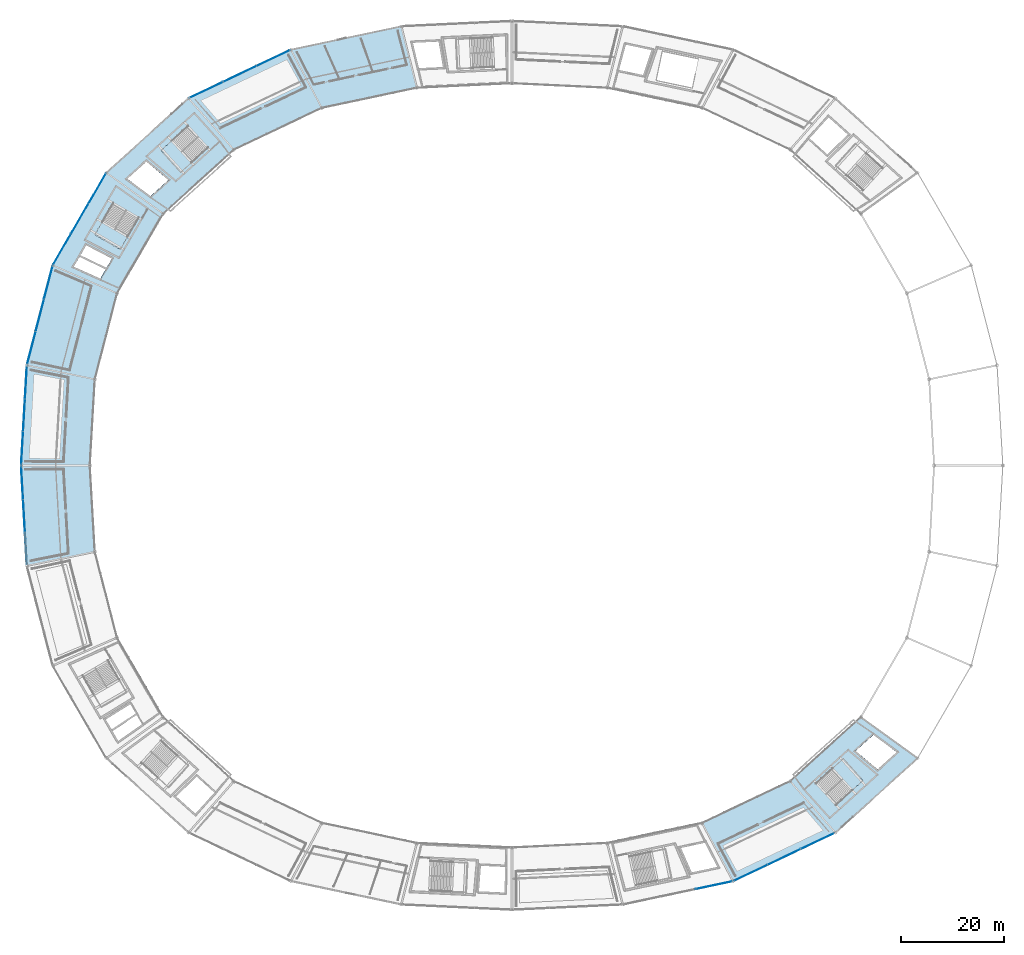
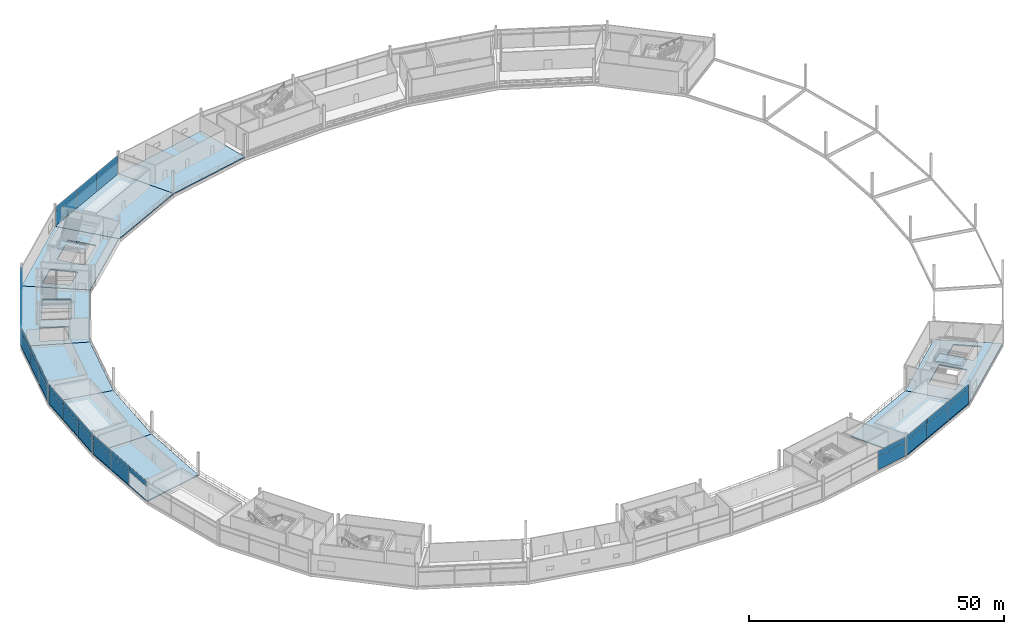
# One storey, part 69 of 103: 37 plates, 12 slabs, 10 elements without a shape of their own.
"""IFC4 building model written with IfcOpenShell, lengths in metres."""

from ifc_helpers import new_model, si_unit, direction, frame, origin, origin_2d, place, context, subcontext, project, spatial, polyline, rectangle, outline, extrude, material, layer, layer_set, type_object, element, aggregate, save


model = new_model("IFC4")

# Units and contexts
model_context = context("Model", 3, precision=1e-05, world=origin(), true_north=direction((0.0, 1.0)))
body_context = subcontext(model_context, "Body", "Model", "MODEL_VIEW")
ifc_project = project(units=[si_unit("LENGTHUNIT", "METRE"), si_unit("AREAUNIT", "SQUARE_METRE"), si_unit("VOLUMEUNIT", "CUBIC_METRE"), si_unit("PLANEANGLEUNIT", "RADIAN"), si_unit("MASSUNIT", "GRAM", prefix="KILO")], contexts=[model_context])

# Site, building, storey
site_placement = place(None, origin())
site = spatial("IfcSite", under=ifc_project, at=site_placement, CompositionType="ELEMENT")
building_placement = place(site_placement, origin())
building = spatial("IfcBuilding", under=site, at=building_placement, Name="Kazemori Nagisa Stadium", CompositionType="ELEMENT")
storey_placement = place(building_placement, frame((0.0, 0.0, 25.840087890625)))
storey = spatial("IfcBuildingStorey", under=building, at=storey_placement, Name="L05", CompositionType="ELEMENT", Elevation=25.840087890625)

# Curtain wall, plates
ifc_material_1 = material(Name="Anodised aluminium 6063-T5", Category="aluminium")
ifc_layer_1 = layer(ifc_material_1, 0.239990234375, Name="Anodised aluminium 6063-T5", Category="aluminium")
ifc_layer_set_1 = layer_set([ifc_layer_1], Name="Anodised aluminium 6063-T5")
curtain_wall_type_1 = type_object("IfcCurtainWallType", Name="CW_L05R3_101", PredefinedType="USERDEFINED", material=ifc_layer_set_1)
curtain_wall_1_placement = place(storey_placement, origin())
curtain_wall_1 = element("IfcCurtainWall", 1, at=curtain_wall_1_placement, inside=storey, type_object=curtain_wall_type_1, Name="Unitised curtain wall CW-L05R3-101 L05", ObjectType="UNITISED CURTAIN WALL", PredefinedType="USERDEFINED")
ifc_material_2 = material(Name="Anodised aluminium spandrel sheet", Category="aluminium")
ifc_layer_2 = layer(ifc_material_2, 0.052001953125, Name="Anodised aluminium spandrel sheet", Category="aluminium")
ifc_layer_set_2 = layer_set([ifc_layer_2], Name="Anodised aluminium spandrel sheet")
plate_type_1 = type_object("IfcPlateType", Name="CWPanel_SPN_L05R3_101", PredefinedType="CURTAIN_PANEL", material=ifc_layer_set_2)
plate_1_placement = place(storey_placement, frame((42.687744140625, 155.5341796875, 3.306884765625), z_axis=(0.0, 0.0, 1.0), x_axis=(-0.501611590054, -0.865092950337, 0.0)))
plate_1 = element("IfcPlate", 2, at=plate_1_placement, type_object=plate_type_1, Name="Curtain wall spandrel panel CW-L05R3-101-S1", PredefinedType="CURTAIN_PANEL", context=body_context, shape_type="SweptSolid", body=[
    extrude(rectangle(XDim=6.7099609375, YDim=0.052001953125, at=origin_2d()), origin(), (0.0, 0.0, 1.0), 1.22314453125),
])
plate_2_placement = place(storey_placement, frame((39.309814453125, 149.70849609375, 3.306884765625), z_axis=(0.0, 0.0, 1.0), x_axis=(-0.501611590054, -0.865092950337, 0.0)))
plate_2 = element("IfcPlate", 3, at=plate_2_placement, type_object=plate_type_1, Name="Curtain wall spandrel panel CW-L05R3-101-S2", PredefinedType="CURTAIN_PANEL", context=body_context, shape_type="SweptSolid", body=[
    extrude(rectangle(XDim=6.7099609375, YDim=0.052001953125, at=origin_2d()), origin(), (0.0, 0.0, 1.0), 1.22314453125),
])
plate_3_placement = place(storey_placement, frame((35.931884765625, 143.883056640625, 3.306884765625), z_axis=(0.0, 0.0, 1.0), x_axis=(-0.501611590054, -0.865092950337, 0.0)))
plate_3 = element("IfcPlate", 4, at=plate_3_placement, type_object=plate_type_1, Name="Curtain wall spandrel panel CW-L05R3-101-S3", PredefinedType="CURTAIN_PANEL", context=body_context, shape_type="SweptSolid", body=[
    extrude(rectangle(XDim=6.7099609375, YDim=0.052001953125, at=origin_2d()), origin(), (0.0, 0.0, 1.0), 1.22314453125),
])

ifc_layer_3 = layer(ifc_material_1, 0.239990234375, Name="Anodised aluminium 6063-T5", Category="aluminium")
ifc_layer_set_3 = layer_set([ifc_layer_3], Name="Anodised aluminium 6063-T5")
curtain_wall_type_2 = type_object("IfcCurtainWallType", Name="CW_L05R3_107", PredefinedType="USERDEFINED", material=ifc_layer_set_3)
curtain_wall_2_placement = place(storey_placement, origin())
curtain_wall_2 = element("IfcCurtainWall", 5, at=curtain_wall_2_placement, inside=storey, type_object=curtain_wall_type_2, Name="Unitised curtain wall CW-L05R3-107 L05", ObjectType="UNITISED CURTAIN WALL", PredefinedType="USERDEFINED")
ifc_layer_4 = layer(ifc_material_2, 0.052001953125, Name="Anodised aluminium spandrel sheet", Category="aluminium")
ifc_layer_set_4 = layer_set([ifc_layer_4], Name="Anodised aluminium spandrel sheet")
plate_type_2 = type_object("IfcPlateType", Name="CWPanel_SPN_L05R3_107", PredefinedType="CURTAIN_PANEL", material=ifc_layer_set_4)
plate_4_placement = place(storey_placement, frame((76.742919921875, 180.82373046875, 3.306884765625), z_axis=(0.0, 0.0, 1.0), x_axis=(-0.903215892654, -0.429186499388, 0.0)))
plate_4 = element("IfcPlate", 6, at=plate_4_placement, type_object=plate_type_2, Name="Curtain wall spandrel panel CW-L05R3-107-S1", PredefinedType="CURTAIN_PANEL", context=body_context, shape_type="SweptSolid", body=[
    extrude(rectangle(XDim=7.110595703125, YDim=0.052001953125, at=origin_2d()), origin(), (0.0, 0.0, 1.0), 1.22314453125),
])
plate_5_placement = place(storey_placement, frame((70.298583984375, 177.76171875, 3.306884765625), z_axis=(0.0, 0.0, 1.0), x_axis=(-0.903215892654, -0.429186499388, 0.0)))
plate_5 = element("IfcPlate", 7, at=plate_5_placement, type_object=plate_type_2, Name="Curtain wall spandrel panel CW-L05R3-107-S2", PredefinedType="CURTAIN_PANEL", context=body_context, shape_type="SweptSolid", body=[
    extrude(rectangle(XDim=7.110595703125, YDim=0.052001953125, at=origin_2d()), origin(), (0.0, 0.0, 1.0), 1.22314453125),
])
plate_6_placement = place(storey_placement, frame((63.8544921875, 174.699462890625, 3.306884765625), z_axis=(0.0, 0.0, 1.0), x_axis=(-0.903215892654, -0.429186499388, 0.0)))
plate_6 = element("IfcPlate", 8, at=plate_6_placement, type_object=plate_type_2, Name="Curtain wall spandrel panel CW-L05R3-107-S3", PredefinedType="CURTAIN_PANEL", context=body_context, shape_type="SweptSolid", body=[
    extrude(rectangle(XDim=7.110595703125, YDim=0.052001953125, at=origin_2d()), origin(), (0.0, 0.0, 1.0), 1.22314453125),
])

# Curtain wall, plate
curtain_wall_3_placement = place(storey_placement, origin())
curtain_wall_3 = element("IfcCurtainWall", 9, at=curtain_wall_3_placement, inside=storey, type_object=curtain_wall_type_2, Name="Unitised curtain wall CW-L05R3-107 L05", ObjectType="UNITISED CURTAIN WALL", PredefinedType="USERDEFINED")
plate_7_placement = place(storey_placement, frame((162.07568359375, 20.746826171875, 3.306884765625), z_axis=(0.0, 0.0, 1.0), x_axis=(0.978344955407, 0.206981033502, 0.0)))
plate_7 = element("IfcPlate", 10, at=plate_7_placement, type_object=plate_type_2, Name="Curtain wall spandrel panel CW-L05R3-107-S3", PredefinedType="CURTAIN_PANEL", context=body_context, shape_type="SweptSolid", body=[
    extrude(rectangle(XDim=7.08935546875, YDim=0.052001953125, at=origin_2d()), origin(), (0.0, 0.0, 1.0), 1.22314453125),
])

# Curtain wall, plates
curtain_wall_4_placement = place(storey_placement, origin())
curtain_wall_4 = element("IfcCurtainWall", 11, at=curtain_wall_4_placement, inside=storey, type_object=curtain_wall_type_2, Name="Unitised curtain wall CW-L05R3-107 L05", ObjectType="UNITISED CURTAIN WALL", PredefinedType="USERDEFINED")
plate_8_placement = place(storey_placement, frame((169.257080078125, 23.17626953125, 3.306884765625), z_axis=(0.0, 0.0, 1.0), x_axis=(0.903215892654, 0.429186499388, 0.0)))
plate_8 = element("IfcPlate", 12, at=plate_8_placement, type_object=plate_type_2, Name="Curtain wall spandrel panel CW-L05R3-107-S1", PredefinedType="CURTAIN_PANEL", context=body_context, shape_type="SweptSolid", body=[
    extrude(rectangle(XDim=7.110595703125, YDim=0.052001953125, at=origin_2d()), origin(), (0.0, 0.0, 1.0), 1.22314453125),
])
plate_9_placement = place(storey_placement, frame((175.701416015625, 26.23828125, 3.306884765625), z_axis=(0.0, 0.0, 1.0), x_axis=(0.903215892654, 0.429186499388, 0.0)))
plate_9 = element("IfcPlate", 13, at=plate_9_placement, type_object=plate_type_2, Name="Curtain wall spandrel panel CW-L05R3-107-S2", PredefinedType="CURTAIN_PANEL", context=body_context, shape_type="SweptSolid", body=[
    extrude(rectangle(XDim=7.110595703125, YDim=0.052001953125, at=origin_2d()), origin(), (0.0, 0.0, 1.0), 1.22314453125),
])
plate_10_placement = place(storey_placement, frame((182.1455078125, 29.300537109375, 3.306884765625), z_axis=(0.0, 0.0, 1.0), x_axis=(0.903215892654, 0.429186499388, 0.0)))
plate_10 = element("IfcPlate", 14, at=plate_10_placement, type_object=plate_type_2, Name="Curtain wall spandrel panel CW-L05R3-107-S3", PredefinedType="CURTAIN_PANEL", context=body_context, shape_type="SweptSolid", body=[
    extrude(rectangle(XDim=7.110595703125, YDim=0.052001953125, at=origin_2d()), origin(), (0.0, 0.0, 1.0), 1.22314453125),
])

ifc_layer_5 = layer(ifc_material_1, 0.239990234375, Name="Anodised aluminium 6063-T5", Category="aluminium")
ifc_layer_set_5 = layer_set([ifc_layer_5], Name="Anodised aluminium 6063-T5")
curtain_wall_type_3 = type_object("IfcCurtainWallType", Name="CW_L05R3_95", PredefinedType="USERDEFINED", material=ifc_layer_set_5)
curtain_wall_5_placement = place(storey_placement, origin())
curtain_wall_5 = element("IfcCurtainWall", 15, at=curtain_wall_5_placement, inside=storey, type_object=curtain_wall_type_3, Name="Unitised curtain wall CW-L05R3-95 L05", ObjectType="UNITISED CURTAIN WALL", PredefinedType="USERDEFINED")
ifc_layer_6 = layer(ifc_material_2, 0.052001953125, Name="Anodised aluminium spandrel sheet", Category="aluminium")
ifc_layer_set_6 = layer_set([ifc_layer_6], Name="Anodised aluminium spandrel sheet")
plate_type_3 = type_object("IfcPlateType", Name="CWPanel_SPN_L05R3_95", PredefinedType="CURTAIN_PANEL", material=ifc_layer_set_6)
plate_11_placement = place(storey_placement, frame((28.9228515625, 117.9951171875, 3.306884765625), z_axis=(0.0, 0.0, 1.0), x_axis=(-0.057601670941, -0.998339645364, 0.0)))
plate_11 = element("IfcPlate", 16, at=plate_11_placement, type_object=plate_type_3, Name="Curtain wall spandrel panel CW-L05R3-95-S1", PredefinedType="CURTAIN_PANEL", context=body_context, shape_type="SweptSolid", body=[
    extrude(rectangle(XDim=6.28271484375, YDim=0.052001953125, at=origin_2d()), origin(), (0.0, 0.0, 1.0), 1.22314453125),
])
plate_12_placement = place(storey_placement, frame((28.5595703125, 111.69873046875, 3.306884765625), z_axis=(0.0, 0.0, 1.0), x_axis=(-0.057601670941, -0.998339645364, 0.0)))
plate_12 = element("IfcPlate", 17, at=plate_12_placement, type_object=plate_type_3, Name="Curtain wall spandrel panel CW-L05R3-95-S2", PredefinedType="CURTAIN_PANEL", context=body_context, shape_type="SweptSolid", body=[
    extrude(rectangle(XDim=6.28271484375, YDim=0.052001953125, at=origin_2d()), origin(), (0.0, 0.0, 1.0), 1.22314453125),
])
plate_13_placement = place(storey_placement, frame((28.1962890625, 105.402587890625, 3.306884765625), z_axis=(0.0, 0.0, 1.0), x_axis=(-0.057601670941, -0.998339645364, 0.0)))
plate_13 = element("IfcPlate", 18, at=plate_13_placement, type_object=plate_type_3, Name="Curtain wall spandrel panel CW-L05R3-95-S3", PredefinedType="CURTAIN_PANEL", context=body_context, shape_type="SweptSolid", body=[
    extrude(rectangle(XDim=6.28271484375, YDim=0.052001953125, at=origin_2d()), origin(), (0.0, 0.0, 1.0), 1.22314453125),
])

curtain_wall_6_placement = place(storey_placement, origin())
curtain_wall_6 = element("IfcCurtainWall", 19, at=curtain_wall_6_placement, inside=storey, type_object=curtain_wall_type_3, Name="Unitised curtain wall CW-L05R3-95 L05", ObjectType="UNITISED CURTAIN WALL", PredefinedType="USERDEFINED")
plate_14_placement = place(storey_placement, frame((28.1962890625, 98.597412109375, 3.306884765625), z_axis=(0.0, 0.0, 1.0), x_axis=(0.057601670941, -0.998339645364, 0.0)))
plate_14 = element("IfcPlate", 20, at=plate_14_placement, type_object=plate_type_3, Name="Curtain wall spandrel panel CW-L05R3-95-S1", PredefinedType="CURTAIN_PANEL", context=body_context, shape_type="SweptSolid", body=[
    extrude(rectangle(XDim=6.28271484375, YDim=0.052001953125, at=origin_2d()), origin(), (0.0, 0.0, 1.0), 1.22314453125),
])
plate_15_placement = place(storey_placement, frame((28.5595703125, 92.30126953125, 3.306884765625), z_axis=(0.0, 0.0, 1.0), x_axis=(0.057601670941, -0.998339645364, 0.0)))
plate_15 = element("IfcPlate", 21, at=plate_15_placement, type_object=plate_type_3, Name="Curtain wall spandrel panel CW-L05R3-95-S2", PredefinedType="CURTAIN_PANEL", context=body_context, shape_type="SweptSolid", body=[
    extrude(rectangle(XDim=6.28271484375, YDim=0.052001953125, at=origin_2d()), origin(), (0.0, 0.0, 1.0), 1.22314453125),
])
plate_16_placement = place(storey_placement, frame((28.9228515625, 86.0048828125, 3.306884765625), z_axis=(0.0, 0.0, 1.0), x_axis=(0.057601670941, -0.998339645364, 0.0)))
plate_16 = element("IfcPlate", 22, at=plate_16_placement, type_object=plate_type_3, Name="Curtain wall spandrel panel CW-L05R3-95-S3", PredefinedType="CURTAIN_PANEL", context=body_context, shape_type="SweptSolid", body=[
    extrude(rectangle(XDim=6.28271484375, YDim=0.052001953125, at=origin_2d()), origin(), (0.0, 0.0, 1.0), 1.22314453125),
])

ifc_layer_7 = layer(ifc_material_1, 0.239990234375, Name="Anodised aluminium 6063-T5", Category="aluminium")
ifc_layer_set_7 = layer_set([ifc_layer_7], Name="Anodised aluminium 6063-T5")
curtain_wall_type_4 = type_object("IfcCurtainWallType", Name="CW_L05R3_98", PredefinedType="USERDEFINED", material=ifc_layer_set_7)
curtain_wall_7_placement = place(storey_placement, origin())
curtain_wall_7 = element("IfcCurtainWall", 23, at=curtain_wall_7_placement, inside=storey, type_object=curtain_wall_type_4, Name="Unitised curtain wall CW-L05R3-98 L05", ObjectType="UNITISED CURTAIN WALL", PredefinedType="USERDEFINED")
ifc_layer_8 = layer(ifc_material_2, 0.052001953125, Name="Anodised aluminium spandrel sheet", Category="aluminium")
ifc_layer_set_8 = layer_set([ifc_layer_8], Name="Anodised aluminium spandrel sheet")
plate_type_4 = type_object("IfcPlateType", Name="CWPanel_SPN_L05R3_98", PredefinedType="CURTAIN_PANEL", material=ifc_layer_set_8)
plate_17_placement = place(storey_placement, frame((33.239990234375, 137.359619140625, 3.306884765625), z_axis=(0.0, 0.0, 1.0), x_axis=(-0.249964642418, -0.968254965152, 0.0)))
plate_17 = element("IfcPlate", 24, at=plate_17_placement, type_object=plate_type_4, Name="Curtain wall spandrel panel CW-L05R3-98-S1", PredefinedType="CURTAIN_PANEL", context=body_context, shape_type="SweptSolid", body=[
    extrude(rectangle(XDim=6.468017578125, YDim=0.052001953125, at=origin_2d()), origin(), (0.0, 0.0, 1.0), 1.22314453125),
])
plate_18_placement = place(storey_placement, frame((31.6171875, 131.07373046875, 3.306884765625), z_axis=(0.0, 0.0, 1.0), x_axis=(-0.249964642418, -0.968254965152, 0.0)))
plate_18 = element("IfcPlate", 25, at=plate_18_placement, type_object=plate_type_4, Name="Curtain wall spandrel panel CW-L05R3-98-S2", PredefinedType="CURTAIN_PANEL", context=body_context, shape_type="SweptSolid", body=[
    extrude(rectangle(XDim=6.468017578125, YDim=0.052001953125, at=origin_2d()), origin(), (0.0, 0.0, 1.0), 1.22314453125),
])
plate_19_placement = place(storey_placement, frame((29.994384765625, 124.78759765625, 3.306884765625), z_axis=(0.0, 0.0, 1.0), x_axis=(-0.249964642418, -0.968254965152, 0.0)))
plate_19 = element("IfcPlate", 26, at=plate_19_placement, type_object=plate_type_4, Name="Curtain wall spandrel panel CW-L05R3-98-S3", PredefinedType="CURTAIN_PANEL", context=body_context, shape_type="SweptSolid", body=[
    extrude(rectangle(XDim=6.468017578125, YDim=0.052001953125, at=origin_2d()), origin(), (0.0, 0.0, 1.0), 1.22314453125),
])

# Plate
ifc_material_3 = material(Name="Low-e laminated double glazing", Category="glass")
ifc_layer_9 = layer(ifc_material_3, 0.034912109375, Name="Low-e laminated double glazing", Category="glass")
ifc_layer_set_9 = layer_set([ifc_layer_9], Name="Low-e laminated double glazing")
plate_type_5 = type_object("IfcPlateType", Name="CWPanel_VIS_L05R3_101", PredefinedType="CURTAIN_PANEL", material=ifc_layer_set_9)
plate_20_placement = place(storey_placement, frame((42.687744140625, 155.5341796875, 0.0), z_axis=(0.0, 0.0, 1.0), x_axis=(-0.501611590054, -0.865092950337, 0.0)))
plate_20 = element("IfcPlate", 27, at=plate_20_placement, type_object=plate_type_5, Name="Curtain wall vision panel CW-L05R3-101-V1", PredefinedType="CURTAIN_PANEL", context=body_context, shape_type="SweptSolid", body=[
    extrude(rectangle(XDim=6.7099609375, YDim=0.034912109375, at=origin_2d()), origin(), (0.0, 0.0, 1.0), 3.306884765625),
])

plate_21_placement = place(storey_placement, frame((39.309814453125, 149.70849609375, 0.0), z_axis=(0.0, 0.0, 1.0), x_axis=(-0.501611590054, -0.865092950337, 0.0)))
plate_21 = element("IfcPlate", 28, at=plate_21_placement, type_object=plate_type_5, Name="Curtain wall vision panel CW-L05R3-101-V2", PredefinedType="CURTAIN_PANEL", context=body_context, shape_type="SweptSolid", body=[
    extrude(rectangle(XDim=6.7099609375, YDim=0.034912109375, at=origin_2d()), origin(), (0.0, 0.0, 1.0), 3.306884765625),
])

plate_22_placement = place(storey_placement, frame((35.931884765625, 143.883056640625, 0.0), z_axis=(0.0, 0.0, 1.0), x_axis=(-0.501611590054, -0.865092950337, 0.0)))
plate_22 = element("IfcPlate", 29, at=plate_22_placement, type_object=plate_type_5, Name="Curtain wall vision panel CW-L05R3-101-V3", PredefinedType="CURTAIN_PANEL", context=body_context, shape_type="SweptSolid", body=[
    extrude(rectangle(XDim=6.7099609375, YDim=0.034912109375, at=origin_2d()), origin(), (0.0, 0.0, 1.0), 3.306884765625),
])

aggregate(curtain_wall_1, [plate_20, plate_1, plate_21, plate_2, plate_22, plate_3])

ifc_layer_10 = layer(ifc_material_3, 0.034912109375, Name="Low-e laminated double glazing", Category="glass")
ifc_layer_set_10 = layer_set([ifc_layer_10], Name="Low-e laminated double glazing")
plate_type_6 = type_object("IfcPlateType", Name="CWPanel_VIS_L05R3_107", PredefinedType="CURTAIN_PANEL", material=ifc_layer_set_10)
plate_23_placement = place(storey_placement, frame((76.742919921875, 180.82373046875, 0.0), z_axis=(0.0, 0.0, 1.0), x_axis=(-0.903215892654, -0.429186499388, 0.0)))
plate_23 = element("IfcPlate", 30, at=plate_23_placement, type_object=plate_type_6, Name="Curtain wall vision panel CW-L05R3-107-V1", PredefinedType="CURTAIN_PANEL", context=body_context, shape_type="SweptSolid", body=[
    extrude(rectangle(XDim=7.110595703125, YDim=0.034912109375, at=origin_2d()), origin(), (0.0, 0.0, 1.0), 3.306884765625),
])

plate_24_placement = place(storey_placement, frame((70.298583984375, 177.76171875, 0.0), z_axis=(0.0, 0.0, 1.0), x_axis=(-0.903215892654, -0.429186499388, 0.0)))
plate_24 = element("IfcPlate", 31, at=plate_24_placement, type_object=plate_type_6, Name="Curtain wall vision panel CW-L05R3-107-V2", PredefinedType="CURTAIN_PANEL", context=body_context, shape_type="SweptSolid", body=[
    extrude(rectangle(XDim=7.110595703125, YDim=0.034912109375, at=origin_2d()), origin(), (0.0, 0.0, 1.0), 3.306884765625),
])

plate_25_placement = place(storey_placement, frame((63.8544921875, 174.699462890625, 0.0), z_axis=(0.0, 0.0, 1.0), x_axis=(-0.903215892654, -0.429186499388, 0.0)))
plate_25 = element("IfcPlate", 32, at=plate_25_placement, type_object=plate_type_6, Name="Curtain wall vision panel CW-L05R3-107-V3", PredefinedType="CURTAIN_PANEL", context=body_context, shape_type="SweptSolid", body=[
    extrude(rectangle(XDim=7.110595703125, YDim=0.034912109375, at=origin_2d()), origin(), (0.0, 0.0, 1.0), 3.306884765625),
])

aggregate(curtain_wall_2, [plate_23, plate_4, plate_24, plate_5, plate_25, plate_6])

plate_26_placement = place(storey_placement, frame((162.07568359375, 20.746826171875, 0.0), z_axis=(0.0, 0.0, 1.0), x_axis=(0.978344955407, 0.206981033502, 0.0)))
plate_26 = element("IfcPlate", 33, at=plate_26_placement, type_object=plate_type_6, Name="Curtain wall vision panel CW-L05R3-107-V3", PredefinedType="CURTAIN_PANEL", context=body_context, shape_type="SweptSolid", body=[
    extrude(rectangle(XDim=7.08935546875, YDim=0.034912109375, at=origin_2d()), origin(), (0.0, 0.0, 1.0), 3.306884765625),
])

aggregate(curtain_wall_3, [plate_26, plate_7])

plate_27_placement = place(storey_placement, frame((169.257080078125, 23.17626953125, 0.0), z_axis=(0.0, 0.0, 1.0), x_axis=(0.903215892654, 0.429186499388, 0.0)))
plate_27 = element("IfcPlate", 34, at=plate_27_placement, type_object=plate_type_6, Name="Curtain wall vision panel CW-L05R3-107-V1", PredefinedType="CURTAIN_PANEL", context=body_context, shape_type="SweptSolid", body=[
    extrude(rectangle(XDim=7.110595703125, YDim=0.034912109375, at=origin_2d()), origin(), (0.0, 0.0, 1.0), 3.306884765625),
])

plate_28_placement = place(storey_placement, frame((175.701416015625, 26.23828125, 0.0), z_axis=(0.0, 0.0, 1.0), x_axis=(0.903215892654, 0.429186499388, 0.0)))
plate_28 = element("IfcPlate", 35, at=plate_28_placement, type_object=plate_type_6, Name="Curtain wall vision panel CW-L05R3-107-V2", PredefinedType="CURTAIN_PANEL", context=body_context, shape_type="SweptSolid", body=[
    extrude(rectangle(XDim=7.110595703125, YDim=0.034912109375, at=origin_2d()), origin(), (0.0, 0.0, 1.0), 3.306884765625),
])

plate_29_placement = place(storey_placement, frame((182.1455078125, 29.300537109375, 0.0), z_axis=(0.0, 0.0, 1.0), x_axis=(0.903215892654, 0.429186499388, 0.0)))
plate_29 = element("IfcPlate", 36, at=plate_29_placement, type_object=plate_type_6, Name="Curtain wall vision panel CW-L05R3-107-V3", PredefinedType="CURTAIN_PANEL", context=body_context, shape_type="SweptSolid", body=[
    extrude(rectangle(XDim=7.110595703125, YDim=0.034912109375, at=origin_2d()), origin(), (0.0, 0.0, 1.0), 3.306884765625),
])

aggregate(curtain_wall_4, [plate_27, plate_8, plate_28, plate_9, plate_29, plate_10])

ifc_layer_11 = layer(ifc_material_3, 0.034912109375, Name="Low-e laminated double glazing", Category="glass")
ifc_layer_set_11 = layer_set([ifc_layer_11], Name="Low-e laminated double glazing")
plate_type_7 = type_object("IfcPlateType", Name="CWPanel_VIS_L05R3_95", PredefinedType="CURTAIN_PANEL", material=ifc_layer_set_11)
plate_30_placement = place(storey_placement, frame((28.9228515625, 117.9951171875, 0.0), z_axis=(0.0, 0.0, 1.0), x_axis=(-0.057601670941, -0.998339645364, 0.0)))
plate_30 = element("IfcPlate", 37, at=plate_30_placement, type_object=plate_type_7, Name="Curtain wall vision panel CW-L05R3-95-V1", PredefinedType="CURTAIN_PANEL", context=body_context, shape_type="SweptSolid", body=[
    extrude(rectangle(XDim=6.28271484375, YDim=0.034912109375, at=origin_2d()), origin(), (0.0, 0.0, 1.0), 3.306884765625),
])

plate_31_placement = place(storey_placement, frame((28.5595703125, 111.69873046875, 0.0), z_axis=(0.0, 0.0, 1.0), x_axis=(-0.057601670941, -0.998339645364, 0.0)))
plate_31 = element("IfcPlate", 38, at=plate_31_placement, type_object=plate_type_7, Name="Curtain wall vision panel CW-L05R3-95-V2", PredefinedType="CURTAIN_PANEL", context=body_context, shape_type="SweptSolid", body=[
    extrude(rectangle(XDim=6.28271484375, YDim=0.034912109375, at=origin_2d()), origin(), (0.0, 0.0, 1.0), 3.306884765625),
])

plate_32_placement = place(storey_placement, frame((28.1962890625, 105.402587890625, 0.0), z_axis=(0.0, 0.0, 1.0), x_axis=(-0.057601670941, -0.998339645364, 0.0)))
plate_32 = element("IfcPlate", 39, at=plate_32_placement, type_object=plate_type_7, Name="Curtain wall vision panel CW-L05R3-95-V3", PredefinedType="CURTAIN_PANEL", context=body_context, shape_type="SweptSolid", body=[
    extrude(rectangle(XDim=6.28271484375, YDim=0.034912109375, at=origin_2d()), origin(), (0.0, 0.0, 1.0), 3.306884765625),
])

aggregate(curtain_wall_5, [plate_30, plate_11, plate_31, plate_12, plate_32, plate_13])

plate_33_placement = place(storey_placement, frame((28.1962890625, 98.597412109375, 0.0), z_axis=(0.0, 0.0, 1.0), x_axis=(0.057601670941, -0.998339645364, 0.0)))
plate_33 = element("IfcPlate", 40, at=plate_33_placement, type_object=plate_type_7, Name="Curtain wall vision panel CW-L05R3-95-V1", PredefinedType="CURTAIN_PANEL", context=body_context, shape_type="SweptSolid", body=[
    extrude(rectangle(XDim=6.28271484375, YDim=0.034912109375, at=origin_2d()), origin(), (0.0, 0.0, 1.0), 3.306884765625),
])

plate_34_placement = place(storey_placement, frame((28.5595703125, 92.30126953125, 0.0), z_axis=(0.0, 0.0, 1.0), x_axis=(0.057601670941, -0.998339645364, 0.0)))
plate_34 = element("IfcPlate", 41, at=plate_34_placement, type_object=plate_type_7, Name="Curtain wall vision panel CW-L05R3-95-V2", PredefinedType="CURTAIN_PANEL", context=body_context, shape_type="SweptSolid", body=[
    extrude(rectangle(XDim=6.28271484375, YDim=0.034912109375, at=origin_2d()), origin(), (0.0, 0.0, 1.0), 3.306884765625),
])

aggregate(curtain_wall_6, [plate_33, plate_14, plate_34, plate_15, plate_16])

ifc_layer_12 = layer(ifc_material_3, 0.034912109375, Name="Low-e laminated double glazing", Category="glass")
ifc_layer_set_12 = layer_set([ifc_layer_12], Name="Low-e laminated double glazing")
plate_type_8 = type_object("IfcPlateType", Name="CWPanel_VIS_L05R3_98", PredefinedType="CURTAIN_PANEL", material=ifc_layer_set_12)
plate_35_placement = place(storey_placement, frame((33.239990234375, 137.359619140625, 0.0), z_axis=(0.0, 0.0, 1.0), x_axis=(-0.249964642418, -0.968254965152, 0.0)))
plate_35 = element("IfcPlate", 42, at=plate_35_placement, type_object=plate_type_8, Name="Curtain wall vision panel CW-L05R3-98-V1", PredefinedType="CURTAIN_PANEL", context=body_context, shape_type="SweptSolid", body=[
    extrude(rectangle(XDim=6.468017578125, YDim=0.034912109375, at=origin_2d()), origin(), (0.0, 0.0, 1.0), 3.306884765625),
])

plate_36_placement = place(storey_placement, frame((31.6171875, 131.07373046875, 0.0), z_axis=(0.0, 0.0, 1.0), x_axis=(-0.249964642418, -0.968254965152, 0.0)))
plate_36 = element("IfcPlate", 43, at=plate_36_placement, type_object=plate_type_8, Name="Curtain wall vision panel CW-L05R3-98-V2", PredefinedType="CURTAIN_PANEL", context=body_context, shape_type="SweptSolid", body=[
    extrude(rectangle(XDim=6.468017578125, YDim=0.034912109375, at=origin_2d()), origin(), (0.0, 0.0, 1.0), 3.306884765625),
])

plate_37_placement = place(storey_placement, frame((29.994384765625, 124.78759765625, 0.0), z_axis=(0.0, 0.0, 1.0), x_axis=(-0.249964642418, -0.968254965152, 0.0)))
plate_37 = element("IfcPlate", 44, at=plate_37_placement, type_object=plate_type_8, Name="Curtain wall vision panel CW-L05R3-98-V3", PredefinedType="CURTAIN_PANEL", context=body_context, shape_type="SweptSolid", body=[
    extrude(rectangle(XDim=6.468017578125, YDim=0.034912109375, at=origin_2d()), origin(), (0.0, 0.0, 1.0), 3.306884765625),
])

aggregate(curtain_wall_7, [plate_35, plate_17, plate_36, plate_18, plate_37, plate_19])

# Stair, slab
ifc_material_4 = material(Name="Concrete C36/45 (Fc36)", Category="concrete")
stair_type = type_object("IfcStairType", Name="Stair_CORE_32", PredefinedType="TWO_STRAIGHT_RUN_STAIR", material=ifc_material_4)
stair_1_placement = place(storey_placement, origin())
stair_1 = element("IfcStair", 45, at=stair_1_placement, inside=storey, type_object=stair_type, Name="Exit stair ST02 L05", PredefinedType="TWO_STRAIGHT_RUN_STAIR")
ifc_layer_13 = layer(ifc_material_4, 0.199951171875, Name="Concrete C36/45 (Fc36)", Category="concrete")
ifc_layer_set_13 = layer_set([ifc_layer_13], Name="Concrete C36/45 (Fc36)")
slab_type_1 = type_object("IfcSlabType", Name="Slab_SL-LND-200", PredefinedType="LANDING", material=ifc_layer_set_13)
slab_1_placement = place(storey_placement, frame((0.0, 0.0, 2.52001953125)))
slab_1 = element("IfcSlab", 46, at=slab_1_placement, type_object=slab_type_1, Name="Exit stair ST02 L05 mid-landing", PredefinedType="LANDING", context=body_context, shape_type="SweptSolid", body=[
    extrude(outline(polyline([(60.97412109375, 160.630615234375), (58.861328125, 158.7177734375), (55.035888671875, 162.943603515625), (57.148681640625, 164.856201171875), (60.97412109375, 160.630615234375)])), origin(), (0.0, 0.0, 1.0), 0.199951171875),
])
aggregate(stair_1, [slab_1])

stair_2_placement = place(storey_placement, origin())
stair_2 = element("IfcStair", 47, at=stair_2_placement, inside=storey, type_object=stair_type, Name="Exit stair ST08 L05", PredefinedType="TWO_STRAIGHT_RUN_STAIR")
slab_2_placement = place(storey_placement, frame((0.0, 0.0, 2.52001953125)))
slab_2 = element("IfcSlab", 48, at=slab_2_placement, type_object=slab_type_1, Name="Exit stair ST08 L05 mid-landing", PredefinedType="LANDING", context=body_context, shape_type="SweptSolid", body=[
    extrude(outline(polyline([(48.606689453125, 146.268310546875), (47.17724609375, 143.802734375), (42.24609375, 146.661865234375), (43.67578125, 149.12744140625), (48.606689453125, 146.268310546875)])), origin(), (0.0, 0.0, 1.0), 0.199951171875),
])
aggregate(stair_2, [slab_2])

stair_3_placement = place(storey_placement, origin())
stair_3 = element("IfcStair", 49, at=stair_3_placement, inside=storey, type_object=stair_type, Name="Exit stair ST04 L05", PredefinedType="TWO_STRAIGHT_RUN_STAIR")
slab_3_placement = place(storey_placement, frame((0.0, 0.0, 2.52001953125)))
slab_3 = element("IfcSlab", 50, at=slab_3_placement, type_object=slab_type_1, Name="Exit stair ST04 L05 mid-landing", PredefinedType="LANDING", context=body_context, shape_type="SweptSolid", body=[
    extrude(outline(polyline([(185.02587890625, 43.369384765625), (187.138671875, 45.2822265625), (190.964111328125, 41.056396484375), (188.851318359375, 39.143798828125), (185.02587890625, 43.369384765625)])), origin(), (0.0, 0.0, 1.0), 0.199951171875),
])
aggregate(stair_3, [slab_3])

# Slabs
ifc_layer_14 = layer(ifc_material_4, 0.260009765625, Name="Concrete C36/45 (Fc36)", Category="concrete")
ifc_layer_set_14 = layer_set([ifc_layer_14], Name="Concrete C36/45 (Fc36)")
slab_type_2 = type_object("IfcSlabType", Name="Slab_SL-SKY-260", PredefinedType="FLOOR", material=ifc_layer_set_14)
slab_4_placement = place(storey_placement, frame((0.0, 0.0, -0.260009765625)))
element("IfcSlab", 51, at=slab_4_placement, inside=storey, type_object=slab_type_2, Name="Concourse floor slab L05 bay 09", PredefinedType="FLOOR", context=body_context, shape_type="SweptSolid", body=[
    extrude(outline(polyline([(104.572265625, 175.088623046875), (86.18798828125, 171.19921875), (80.1953125, 182.46435546875), (101.572265625, 186.98681640625), (104.572265625, 175.088623046875)])), origin(), (0.0, 0.0, 1.0), 0.260009765625),
])
slab_5_placement = place(storey_placement, frame((0.0, 0.0, -0.260009765625)))
element("IfcSlab", 52, at=slab_5_placement, inside=storey, type_object=slab_type_2, Name="Concourse floor slab L05 bay 10", PredefinedType="FLOOR", context=body_context, shape_type="SweptSolid", body=[
    extrude(outline(polyline([(86.18798828125, 171.19921875), (69.165771484375, 163.11083984375), (60.402099609375, 173.05908203125), (80.1953125, 182.46435546875), (86.18798828125, 171.19921875)])), origin(), (0.0, 0.0, 1.0), 0.260009765625),
])
slab_6_placement = place(storey_placement, frame((0.0, 0.0, -0.260009765625)))
element("IfcSlab", 53, at=slab_6_placement, inside=storey, type_object=slab_type_2, Name="Concourse floor slab L05 bay 11", PredefinedType="FLOOR", context=body_context, shape_type="SweptSolid", body=[
    extrude(outline(polyline([(69.165771484375, 163.11083984375), (55.493896484375, 150.734130859375), (44.504638671875, 158.667724609375), (60.402099609375, 173.05908203125), (69.165771484375, 163.11083984375)]), holes=[polyline([(64.12109375, 163.4794921875), (58.861328125, 158.7177734375), (55.035888671875, 162.943603515625), (60.2958984375, 167.705078125), (64.12109375, 163.4794921875)]), polyline([(56.495361328125, 157.260498046875), (53.046142578125, 154.13818359375), (48.557861328125, 157.4833984375), (52.228271484375, 160.80615234375), (56.495361328125, 157.260498046875)])]), origin(), (0.0, 0.0, 1.0), 0.260009765625),
])
slab_7_placement = place(storey_placement, frame((0.0, 0.0, -0.260009765625)))
element("IfcSlab", 54, at=slab_7_placement, inside=storey, type_object=slab_type_2, Name="Concourse floor slab L05 bay 12", PredefinedType="FLOOR", context=body_context, shape_type="SweptSolid", body=[
    extrude(outline(polyline([(55.493896484375, 150.734130859375), (46.55908203125, 135.32470703125), (34.114990234375, 140.74951171875), (44.504638671875, 158.667724609375), (55.493896484375, 150.734130859375)]), holes=[polyline([(50.736083984375, 149.940673828125), (47.17724609375, 143.802734375), (42.24609375, 146.661865234375), (45.80517578125, 152.7998046875), (50.736083984375, 149.940673828125)]), polyline([(45.5595703125, 142.051025390625), (43.305419921875, 138.163330078125), (38.1923828125, 140.483642578125), (40.591064453125, 144.62060546875), (45.5595703125, 142.051025390625)])]), origin(), (0.0, 0.0, 1.0), 0.260009765625),
])
slab_8_placement = place(storey_placement, frame((0.0, 0.0, -0.260009765625)))
element("IfcSlab", 55, at=slab_8_placement, inside=storey, type_object=slab_type_2, Name="Concourse floor slab L05 bay 13", PredefinedType="FLOOR", context=body_context, shape_type="SweptSolid", body=[
    extrude(outline(polyline([(46.55908203125, 135.32470703125), (42.262451171875, 118.68212890625), (29.119140625, 121.397705078125), (34.114990234375, 140.74951171875), (46.55908203125, 135.32470703125)])), origin(), (0.0, 0.0, 1.0), 0.260009765625),
])
slab_9_placement = place(storey_placement, frame((0.0, 0.0, -0.260009765625)))
element("IfcSlab", 56, at=slab_9_placement, inside=storey, type_object=slab_type_2, Name="Concourse floor slab L05 bay 14", PredefinedType="FLOOR", context=body_context, shape_type="SweptSolid", body=[
    extrude(outline(polyline([(42.262451171875, 118.68212890625), (41.300048828125, 102.0), (28.0, 102.0), (29.119140625, 121.397705078125), (42.262451171875, 118.68212890625)])), origin(), (0.0, 0.0, 1.0), 0.260009765625),
])
slab_10_placement = place(storey_placement, frame((0.0, 0.0, -0.260009765625)))
element("IfcSlab", 57, at=slab_10_placement, inside=storey, type_object=slab_type_2, Name="Concourse floor slab L05 bay 15", PredefinedType="FLOOR", context=body_context, shape_type="SweptSolid", body=[
    extrude(outline(polyline([(41.300048828125, 102.0), (42.262451171875, 85.31787109375), (29.119140625, 82.602294921875), (28.0, 102.0), (41.300048828125, 102.0)])), origin(), (0.0, 0.0, 1.0), 0.260009765625),
])
slab_11_placement = place(storey_placement, frame((0.0, 0.0, -0.260009765625)))
element("IfcSlab", 58, at=slab_11_placement, inside=storey, type_object=slab_type_2, Name="Concourse floor slab L05 bay 24", PredefinedType="FLOOR", context=body_context, shape_type="SweptSolid", body=[
    extrude(outline(polyline([(159.81201171875, 32.80078125), (176.834228515625, 40.88916015625), (185.597900390625, 30.94091796875), (165.8046875, 21.53564453125), (159.81201171875, 32.80078125)])), origin(), (0.0, 0.0, 1.0), 0.260009765625),
])
slab_12_placement = place(storey_placement, frame((0.0, 0.0, -0.260009765625)))
element("IfcSlab", 59, at=slab_12_placement, inside=storey, type_object=slab_type_2, Name="Concourse floor slab L05 bay 25", PredefinedType="FLOOR", context=body_context, shape_type="SweptSolid", body=[
    extrude(outline(polyline([(176.834228515625, 40.88916015625), (190.506103515625, 53.265869140625), (201.495361328125, 45.332275390625), (185.597900390625, 30.94091796875), (176.834228515625, 40.88916015625)]), holes=[polyline([(181.87890625, 40.5205078125), (187.138671875, 45.2822265625), (190.964111328125, 41.056396484375), (185.7041015625, 36.294921875), (181.87890625, 40.5205078125)]), polyline([(189.504638671875, 46.739501953125), (192.953857421875, 49.86181640625), (197.442138671875, 46.5166015625), (193.771728515625, 43.19384765625), (189.504638671875, 46.739501953125)])]), origin(), (0.0, 0.0, 1.0), 0.260009765625),
])

save(model, "model.ifc")
